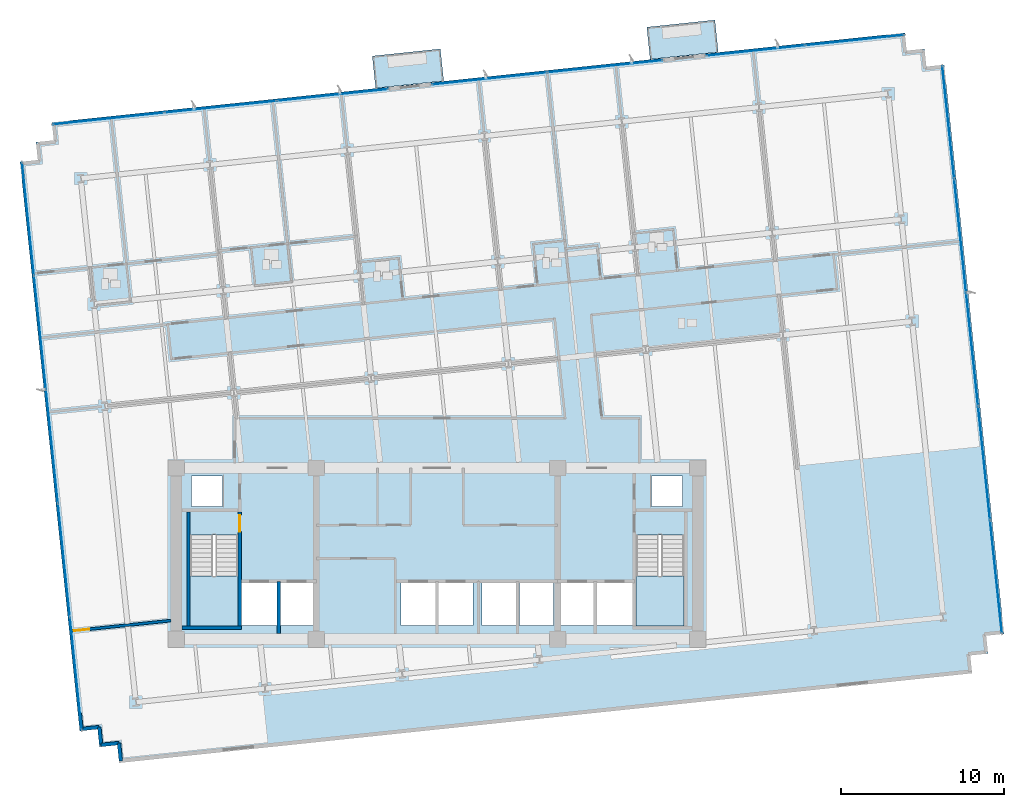
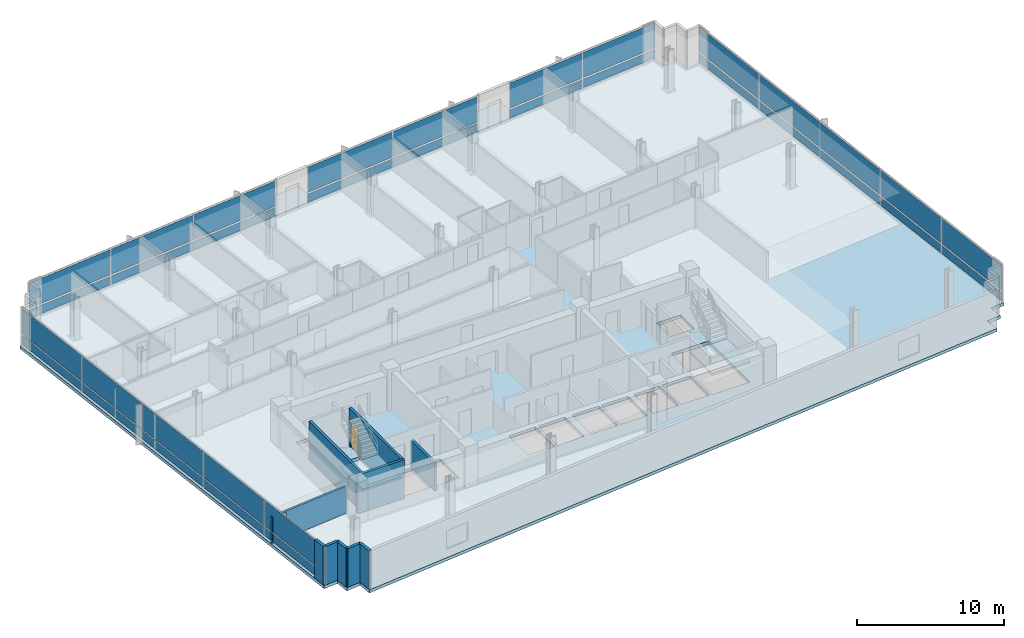
# One storey, part 9 of 17: 34 plates, 10 walls, 5 slabs, 2 doors, 2 openings, 7 elements without a shape of their own.
"""IFC4 building model written with IfcOpenShell, lengths in metres."""

from ifc_helpers import new_model, si_unit, direction, frame, frame_2d, origin, origin_2d, place, context, subcontext, project, spatial, polyline, rectangle, outline, extrude, material, layer, layer_set, type_object, element, fill, aggregate, save


model = new_model("IFC4")

# Units and contexts
model_context = context("Model", 3, precision=1e-05, world=origin(), true_north=direction((0.0, 1.0)))
body_context = subcontext(model_context, "Body", "Model", "MODEL_VIEW")
ifc_project = project(units=[si_unit("LENGTHUNIT", "METRE"), si_unit("AREAUNIT", "SQUARE_METRE"), si_unit("VOLUMEUNIT", "CUBIC_METRE"), si_unit("PLANEANGLEUNIT", "RADIAN"), si_unit("MASSUNIT", "GRAM", prefix="KILO")], contexts=[model_context])

# Site, building, storey
site_placement = place(None, origin())
site = spatial("IfcSite", under=ifc_project, at=site_placement, CompositionType="ELEMENT")
building_placement = place(site_placement, origin())
building = spatial("IfcBuilding", under=site, at=building_placement, Name="Solmavex Isthmus Hotel", CompositionType="ELEMENT")
storey_placement = place(building_placement, frame((0.0, 0.0, 116.699951171875)))
storey = spatial("IfcBuildingStorey", under=building, at=storey_placement, Name="L31", CompositionType="ELEMENT", Elevation=116.699951171875)

# Curtain wall, plates
ifc_material_1 = material(Name="Aluminium alloy 6063-T6", Category="aluminium")
curtain_wall_type = type_object("IfcCurtainWallType", Name="CW-SYS-03", PredefinedType="NOTDEFINED", material=ifc_material_1)
curtain_wall_1_placement = place(storey_placement, origin())
curtain_wall_1 = element("IfcCurtainWall", 1, at=curtain_wall_1_placement, inside=storey, type_object=curtain_wall_type, Name="Stick Curtain Wall CWL-L31-N1", PredefinedType="NOTDEFINED")
ifc_material_2 = material(Name="Clear low-E laminated glass", Category="glass")
ifc_layer_1 = layer(ifc_material_2, 0.030029296875)
ifc_layer_set_1 = layer_set([ifc_layer_1], Name="Clear low-E laminated glass")
plate_type = type_object("IfcPlateType", Name="CW-SYS-03-PNL", PredefinedType="CURTAIN_PANEL", material=ifc_layer_set_1)
plate_1_placement = place(storey_placement, frame((-20.148193359375, 18.93701171875, 0.14013671875), z_axis=(0.0, 0.0, 1.0), x_axis=(0.994521910366, 0.10452832057, 0.0)))
plate_1 = element("IfcPlate", 2, at=plate_1_placement, type_object=plate_type, Name="CW-03 panel 1.1", PredefinedType="CURTAIN_PANEL", context=body_context, shape_type="SweptSolid", body=[
    extrude(rectangle(XDim=6.8173828125, YDim=0.030029296875, at=origin_2d()), origin(), (0.0, 0.0, 1.0), 0.68994140625),
])
plate_2_placement = place(storey_placement, frame((-20.148193359375, 18.93701171875, 0.969970703125), z_axis=(0.0, 0.0, 1.0), x_axis=(0.994521910366, 0.10452832057, 0.0)))
plate_2 = element("IfcPlate", 3, at=plate_2_placement, type_object=plate_type, Name="CW-03 panel 1.2", PredefinedType="CURTAIN_PANEL", context=body_context, shape_type="SweptSolid", body=[
    extrude(rectangle(XDim=6.8173828125, YDim=0.030029296875, at=origin_2d()), origin(), (0.0, 0.0, 1.0), 2.080078125),
])
plate_3_placement = place(storey_placement, frame((-13.28125, 19.65869140625, 0.14013671875), z_axis=(0.0, 0.0, 1.0), x_axis=(0.994521910366, 0.10452832057, 0.0)))
plate_3 = element("IfcPlate", 4, at=plate_3_placement, type_object=plate_type, Name="CW-03 panel 2.1", PredefinedType="CURTAIN_PANEL", context=body_context, shape_type="SweptSolid", body=[
    extrude(rectangle(XDim=6.852294921875, YDim=0.030029296875, at=origin_2d()), origin(), (0.0, 0.0, 1.0), 0.68994140625),
])
plate_4_placement = place(storey_placement, frame((-13.28125, 19.65869140625, 0.969970703125), z_axis=(0.0, 0.0, 1.0), x_axis=(0.994521910366, 0.10452832057, 0.0)))
plate_4 = element("IfcPlate", 5, at=plate_4_placement, type_object=plate_type, Name="CW-03 panel 2.2", PredefinedType="CURTAIN_PANEL", context=body_context, shape_type="SweptSolid", body=[
    extrude(rectangle(XDim=6.852294921875, YDim=0.030029296875, at=origin_2d()), origin(), (0.0, 0.0, 1.0), 2.080078125),
])
plate_5_placement = place(storey_placement, frame((-6.414306640625, 20.38037109375, 0.14013671875), z_axis=(0.0, 0.0, 1.0), x_axis=(0.994521910366, 0.10452832057, 0.0)))
plate_5 = element("IfcPlate", 6, at=plate_5_placement, type_object=plate_type, Name="CW-03 panel 3.1", PredefinedType="CURTAIN_PANEL", context=body_context, shape_type="SweptSolid", body=[
    extrude(rectangle(XDim=6.8173828125, YDim=0.030029296875, at=origin_2d()), origin(), (0.0, 0.0, 1.0), 0.68994140625),
])
plate_6_placement = place(storey_placement, frame((-6.414306640625, 20.38037109375, 0.969970703125), z_axis=(0.0, 0.0, 1.0), x_axis=(0.994521910366, 0.10452832057, 0.0)))
plate_6 = element("IfcPlate", 7, at=plate_6_placement, type_object=plate_type, Name="CW-03 panel 3.2", PredefinedType="CURTAIN_PANEL", context=body_context, shape_type="SweptSolid", body=[
    extrude(rectangle(XDim=6.8173828125, YDim=0.030029296875, at=origin_2d()), origin(), (0.0, 0.0, 1.0), 2.080078125),
])
aggregate(curtain_wall_1, [plate_1, plate_2, plate_3, plate_4, plate_5, plate_6])

curtain_wall_2_placement = place(storey_placement, origin())
curtain_wall_2 = element("IfcCurtainWall", 8, at=curtain_wall_2_placement, inside=storey, type_object=curtain_wall_type, Name="Stick Curtain Wall CWL-L31-N2", PredefinedType="NOTDEFINED")
plate_7_placement = place(storey_placement, frame((3.2119140625, 21.392333984375, 0.14013671875), z_axis=(0.0, 0.0, 1.0), x_axis=(0.994521838546, 0.10452900389, 0.0)))
plate_7 = element("IfcPlate", 9, at=plate_7_placement, type_object=plate_type, Name="CW-03 panel 1.1", PredefinedType="CURTAIN_PANEL", context=body_context, shape_type="SweptSolid", body=[
    extrude(rectangle(XDim=7.06103515625, YDim=0.030029296875, at=origin_2d()), origin(), (0.0, 0.0, 1.0), 0.68994140625),
])
plate_8_placement = place(storey_placement, frame((3.2119140625, 21.392333984375, 0.969970703125), z_axis=(0.0, 0.0, 1.0), x_axis=(0.994521838546, 0.10452900389, 0.0)))
plate_8 = element("IfcPlate", 10, at=plate_8_placement, type_object=plate_type, Name="CW-03 panel 1.2", PredefinedType="CURTAIN_PANEL", context=body_context, shape_type="SweptSolid", body=[
    extrude(rectangle(XDim=7.06103515625, YDim=0.030029296875, at=origin_2d()), origin(), (0.0, 0.0, 1.0), 2.080078125),
])
plate_9_placement = place(storey_placement, frame((10.303955078125, 22.1376953125, 0.14013671875), z_axis=(0.0, 0.0, 1.0), x_axis=(0.994521838546, 0.10452900389, 0.0)))
plate_9 = element("IfcPlate", 11, at=plate_9_placement, type_object=plate_type, Name="CW-03 panel 2.1", PredefinedType="CURTAIN_PANEL", context=body_context, shape_type="SweptSolid", body=[
    extrude(rectangle(XDim=7.06103515625, YDim=0.030029296875, at=origin_2d()), origin(), (0.0, 0.0, 1.0), 0.68994140625),
])
plate_10_placement = place(storey_placement, frame((10.303955078125, 22.1376953125, 0.969970703125), z_axis=(0.0, 0.0, 1.0), x_axis=(0.994521838546, 0.10452900389, 0.0)))
plate_10 = element("IfcPlate", 12, at=plate_10_placement, type_object=plate_type, Name="CW-03 panel 2.2", PredefinedType="CURTAIN_PANEL", context=body_context, shape_type="SweptSolid", body=[
    extrude(rectangle(XDim=7.06103515625, YDim=0.030029296875, at=origin_2d()), origin(), (0.0, 0.0, 1.0), 2.080078125),
])
aggregate(curtain_wall_2, [plate_7, plate_8, plate_9, plate_10])

curtain_wall_3_placement = place(storey_placement, origin())
curtain_wall_3 = element("IfcCurtainWall", 13, at=curtain_wall_3_placement, inside=storey, type_object=curtain_wall_type, Name="Stick Curtain Wall CWL-L31-N3", PredefinedType="NOTDEFINED")
plate_11_placement = place(storey_placement, frame((19.546142578125, 23.109130859375, 0.14013671875), z_axis=(0.0, 0.0, 1.0), x_axis=(0.994521931062, 0.104528123665, 0.0)))
plate_11 = element("IfcPlate", 14, at=plate_11_placement, type_object=plate_type, Name="CW-03 panel 1.1", PredefinedType="CURTAIN_PANEL", context=body_context, shape_type="SweptSolid", body=[
    extrude(rectangle(XDim=6.04541015625, YDim=0.030029296875, at=origin_2d()), origin(), (0.0, 0.0, 1.0), 0.68994140625),
])
plate_12_placement = place(storey_placement, frame((19.546142578125, 23.109130859375, 0.969970703125), z_axis=(0.0, 0.0, 1.0), x_axis=(0.994521931062, 0.104528123665, 0.0)))
plate_12 = element("IfcPlate", 15, at=plate_12_placement, type_object=plate_type, Name="CW-03 panel 1.2", PredefinedType="CURTAIN_PANEL", context=body_context, shape_type="SweptSolid", body=[
    extrude(rectangle(XDim=6.04541015625, YDim=0.030029296875, at=origin_2d()), origin(), (0.0, 0.0, 1.0), 2.080078125),
])
plate_13_placement = place(storey_placement, frame((25.628173828125, 23.748291015625, 0.14013671875), z_axis=(0.0, 0.0, 1.0), x_axis=(0.994521931062, 0.104528123665, 0.0)))
plate_13 = element("IfcPlate", 16, at=plate_13_placement, type_object=plate_type, Name="CW-03 panel 2.1", PredefinedType="CURTAIN_PANEL", context=body_context, shape_type="SweptSolid", body=[
    extrude(rectangle(XDim=6.04541015625, YDim=0.030029296875, at=origin_2d()), origin(), (0.0, 0.0, 1.0), 0.68994140625),
])
plate_14_placement = place(storey_placement, frame((25.628173828125, 23.748291015625, 0.969970703125), z_axis=(0.0, 0.0, 1.0), x_axis=(0.994521931062, 0.104528123665, 0.0)))
plate_14 = element("IfcPlate", 17, at=plate_14_placement, type_object=plate_type, Name="CW-03 panel 2.2", PredefinedType="CURTAIN_PANEL", context=body_context, shape_type="SweptSolid", body=[
    extrude(rectangle(XDim=6.04541015625, YDim=0.030029296875, at=origin_2d()), origin(), (0.0, 0.0, 1.0), 2.080078125),
])
aggregate(curtain_wall_3, [plate_11, plate_12, plate_13, plate_14])

curtain_wall_4_placement = place(storey_placement, origin())
curtain_wall_4 = element("IfcCurtainWall", 18, at=curtain_wall_4_placement, inside=storey, type_object=curtain_wall_type, Name="Stick Curtain Wall CWL-L31-W1", PredefinedType="NOTDEFINED")
plate_15_placement = place(storey_placement, frame((-22.15869140625, -15.1123046875, 0.14013671875), z_axis=(0.0, 0.0, 1.0), x_axis=(-0.104528485381, 0.994521893044, 0.0)))
plate_15 = element("IfcPlate", 19, at=plate_15_placement, type_object=plate_type, Name="CW-03 panel 1.1", PredefinedType="CURTAIN_PANEL", context=body_context, shape_type="SweptSolid", body=[
    extrude(rectangle(XDim=6.9150390625, YDim=0.030029296875, at=origin_2d()), origin(), (0.0, 0.0, 1.0), 0.68994140625),
])
plate_16_placement = place(storey_placement, frame((-22.15869140625, -15.1123046875, 0.969970703125), z_axis=(0.0, 0.0, 1.0), x_axis=(-0.104528485381, 0.994521893044, 0.0)))
plate_16 = element("IfcPlate", 20, at=plate_16_placement, type_object=plate_type, Name="CW-03 panel 1.2", PredefinedType="CURTAIN_PANEL", context=body_context, shape_type="SweptSolid", body=[
    extrude(rectangle(XDim=6.9150390625, YDim=0.030029296875, at=origin_2d()), origin(), (0.0, 0.0, 1.0), 2.080078125),
])
plate_17_placement = place(storey_placement, frame((-22.890625, -8.14794921875, 0.14013671875), z_axis=(0.0, 0.0, 1.0), x_axis=(-0.104528485381, 0.994521893044, 0.0)))
plate_17 = element("IfcPlate", 21, at=plate_17_placement, type_object=plate_type, Name="CW-03 panel 2.1", PredefinedType="CURTAIN_PANEL", context=body_context, shape_type="SweptSolid", body=[
    extrude(rectangle(XDim=6.949951171875, YDim=0.030029296875, at=origin_2d()), origin(), (0.0, 0.0, 1.0), 0.68994140625),
])
plate_18_placement = place(storey_placement, frame((-22.890625, -8.14794921875, 0.969970703125), z_axis=(0.0, 0.0, 1.0), x_axis=(-0.104528485381, 0.994521893044, 0.0)))
plate_18 = element("IfcPlate", 22, at=plate_18_placement, type_object=plate_type, Name="CW-03 panel 2.2", PredefinedType="CURTAIN_PANEL", context=body_context, shape_type="SweptSolid", body=[
    extrude(rectangle(XDim=6.949951171875, YDim=0.030029296875, at=origin_2d()), origin(), (0.0, 0.0, 1.0), 2.080078125),
])
plate_19_placement = place(storey_placement, frame((-23.62451171875, -1.16650390625, 0.14013671875), z_axis=(0.0, 0.0, 1.0), x_axis=(-0.104528485381, 0.994521893044, 0.0)))
plate_19 = element("IfcPlate", 23, at=plate_19_placement, type_object=plate_type, Name="CW-03 panel 3.1", PredefinedType="CURTAIN_PANEL", context=body_context, shape_type="SweptSolid", body=[
    extrude(rectangle(XDim=6.949951171875, YDim=0.030029296875, at=origin_2d()), origin(), (0.0, 0.0, 1.0), 0.68994140625),
])
plate_20_placement = place(storey_placement, frame((-23.62451171875, -1.16650390625, 0.969970703125), z_axis=(0.0, 0.0, 1.0), x_axis=(-0.104528485381, 0.994521893044, 0.0)))
plate_20 = element("IfcPlate", 24, at=plate_20_placement, type_object=plate_type, Name="CW-03 panel 3.2", PredefinedType="CURTAIN_PANEL", context=body_context, shape_type="SweptSolid", body=[
    extrude(rectangle(XDim=6.949951171875, YDim=0.030029296875, at=origin_2d()), origin(), (0.0, 0.0, 1.0), 2.080078125),
])
plate_21_placement = place(storey_placement, frame((-24.3583984375, 5.81494140625, 0.14013671875), z_axis=(0.0, 0.0, 1.0), x_axis=(-0.104528485381, 0.994521893044, 0.0)))
plate_21 = element("IfcPlate", 25, at=plate_21_placement, type_object=plate_type, Name="CW-03 panel 4.1", PredefinedType="CURTAIN_PANEL", context=body_context, shape_type="SweptSolid", body=[
    extrude(rectangle(XDim=6.949951171875, YDim=0.030029296875, at=origin_2d()), origin(), (0.0, 0.0, 1.0), 0.68994140625),
])
plate_22_placement = place(storey_placement, frame((-24.3583984375, 5.81494140625, 0.969970703125), z_axis=(0.0, 0.0, 1.0), x_axis=(-0.104528485381, 0.994521893044, 0.0)))
plate_22 = element("IfcPlate", 26, at=plate_22_placement, type_object=plate_type, Name="CW-03 panel 4.2", PredefinedType="CURTAIN_PANEL", context=body_context, shape_type="SweptSolid", body=[
    extrude(rectangle(XDim=6.949951171875, YDim=0.030029296875, at=origin_2d()), origin(), (0.0, 0.0, 1.0), 2.080078125),
])
plate_23_placement = place(storey_placement, frame((-25.09033203125, 12.779052734375, 0.14013671875), z_axis=(0.0, 0.0, 1.0), x_axis=(-0.104528485381, 0.994521893044, 0.0)))
plate_23 = element("IfcPlate", 27, at=plate_23_placement, type_object=plate_type, Name="CW-03 panel 5.1", PredefinedType="CURTAIN_PANEL", context=body_context, shape_type="SweptSolid", body=[
    extrude(rectangle(XDim=6.9150390625, YDim=0.030029296875, at=origin_2d()), origin(), (0.0, 0.0, 1.0), 0.68994140625),
])
plate_24_placement = place(storey_placement, frame((-25.09033203125, 12.779052734375, 0.969970703125), z_axis=(0.0, 0.0, 1.0), x_axis=(-0.104528485381, 0.994521893044, 0.0)))
plate_24 = element("IfcPlate", 28, at=plate_24_placement, type_object=plate_type, Name="CW-03 panel 5.2", PredefinedType="CURTAIN_PANEL", context=body_context, shape_type="SweptSolid", body=[
    extrude(rectangle(XDim=6.9150390625, YDim=0.030029296875, at=origin_2d()), origin(), (0.0, 0.0, 1.0), 2.080078125),
])
aggregate(curtain_wall_4, [plate_15, plate_16, plate_17, plate_18, plate_19, plate_20, plate_21, plate_22, plate_23, plate_24])

curtain_wall_5_placement = place(storey_placement, origin())
curtain_wall_5 = element("IfcCurtainWall", 29, at=curtain_wall_5_placement, inside=storey, type_object=curtain_wall_type, Name="Stick Curtain Wall CWL-L31-E1", PredefinedType="NOTDEFINED")
plate_25_placement = place(storey_placement, frame((34.290283203125, -9.17919921875, 0.14013671875), z_axis=(0.0, 0.0, 1.0), x_axis=(-0.104528485381, 0.994521893044, 0.0)))
plate_25 = element("IfcPlate", 30, at=plate_25_placement, type_object=plate_type, Name="CW-03 panel 1.1", PredefinedType="CURTAIN_PANEL", context=body_context, shape_type="SweptSolid", body=[
    extrude(rectangle(XDim=6.9150390625, YDim=0.030029296875, at=origin_2d()), origin(), (0.0, 0.0, 1.0), 0.68994140625),
])
plate_26_placement = place(storey_placement, frame((34.290283203125, -9.17919921875, 0.969970703125), z_axis=(0.0, 0.0, 1.0), x_axis=(-0.104528485381, 0.994521893044, 0.0)))
plate_26 = element("IfcPlate", 31, at=plate_26_placement, type_object=plate_type, Name="CW-03 panel 1.2", PredefinedType="CURTAIN_PANEL", context=body_context, shape_type="SweptSolid", body=[
    extrude(rectangle(XDim=6.9150390625, YDim=0.030029296875, at=origin_2d()), origin(), (0.0, 0.0, 1.0), 2.080078125),
])
plate_27_placement = place(storey_placement, frame((33.558349609375, -2.215087890625, 0.14013671875), z_axis=(0.0, 0.0, 1.0), x_axis=(-0.104528485381, 0.994521893044, 0.0)))
plate_27 = element("IfcPlate", 32, at=plate_27_placement, type_object=plate_type, Name="CW-03 panel 2.1", PredefinedType="CURTAIN_PANEL", context=body_context, shape_type="SweptSolid", body=[
    extrude(rectangle(XDim=6.949951171875, YDim=0.030029296875, at=origin_2d()), origin(), (0.0, 0.0, 1.0), 0.68994140625),
])
plate_28_placement = place(storey_placement, frame((33.558349609375, -2.215087890625, 0.969970703125), z_axis=(0.0, 0.0, 1.0), x_axis=(-0.104528485381, 0.994521893044, 0.0)))
plate_28 = element("IfcPlate", 33, at=plate_28_placement, type_object=plate_type, Name="CW-03 panel 2.2", PredefinedType="CURTAIN_PANEL", context=body_context, shape_type="SweptSolid", body=[
    extrude(rectangle(XDim=6.949951171875, YDim=0.030029296875, at=origin_2d()), origin(), (0.0, 0.0, 1.0), 2.080078125),
])
plate_29_placement = place(storey_placement, frame((32.824462890625, 4.7666015625, 0.14013671875), z_axis=(0.0, 0.0, 1.0), x_axis=(-0.104528485381, 0.994521893044, 0.0)))
plate_29 = element("IfcPlate", 34, at=plate_29_placement, type_object=plate_type, Name="CW-03 panel 3.1", PredefinedType="CURTAIN_PANEL", context=body_context, shape_type="SweptSolid", body=[
    extrude(rectangle(XDim=6.949951171875, YDim=0.030029296875, at=origin_2d()), origin(), (0.0, 0.0, 1.0), 0.68994140625),
])
plate_30_placement = place(storey_placement, frame((32.824462890625, 4.7666015625, 0.969970703125), z_axis=(0.0, 0.0, 1.0), x_axis=(-0.104528485381, 0.994521893044, 0.0)))
plate_30 = element("IfcPlate", 35, at=plate_30_placement, type_object=plate_type, Name="CW-03 panel 3.2", PredefinedType="CURTAIN_PANEL", context=body_context, shape_type="SweptSolid", body=[
    extrude(rectangle(XDim=6.949951171875, YDim=0.030029296875, at=origin_2d()), origin(), (0.0, 0.0, 1.0), 2.080078125),
])
plate_31_placement = place(storey_placement, frame((32.0908203125, 11.748046875, 0.14013671875), z_axis=(0.0, 0.0, 1.0), x_axis=(-0.104528485381, 0.994521893044, 0.0)))
plate_31 = element("IfcPlate", 36, at=plate_31_placement, type_object=plate_type, Name="CW-03 panel 4.1", PredefinedType="CURTAIN_PANEL", context=body_context, shape_type="SweptSolid", body=[
    extrude(rectangle(XDim=6.949951171875, YDim=0.030029296875, at=origin_2d()), origin(), (0.0, 0.0, 1.0), 0.68994140625),
])
plate_32_placement = place(storey_placement, frame((32.0908203125, 11.748046875, 0.969970703125), z_axis=(0.0, 0.0, 1.0), x_axis=(-0.104528485381, 0.994521893044, 0.0)))
plate_32 = element("IfcPlate", 37, at=plate_32_placement, type_object=plate_type, Name="CW-03 panel 4.2", PredefinedType="CURTAIN_PANEL", context=body_context, shape_type="SweptSolid", body=[
    extrude(rectangle(XDim=6.949951171875, YDim=0.030029296875, at=origin_2d()), origin(), (0.0, 0.0, 1.0), 2.080078125),
])
plate_33_placement = place(storey_placement, frame((31.35888671875, 18.712158203125, 0.14013671875), z_axis=(0.0, 0.0, 1.0), x_axis=(-0.104528485381, 0.994521893044, 0.0)))
plate_33 = element("IfcPlate", 38, at=plate_33_placement, type_object=plate_type, Name="CW-03 panel 5.1", PredefinedType="CURTAIN_PANEL", context=body_context, shape_type="SweptSolid", body=[
    extrude(rectangle(XDim=6.9150390625, YDim=0.030029296875, at=origin_2d()), origin(), (0.0, 0.0, 1.0), 0.68994140625),
])
plate_34_placement = place(storey_placement, frame((31.35888671875, 18.712158203125, 0.969970703125), z_axis=(0.0, 0.0, 1.0), x_axis=(-0.104528485381, 0.994521893044, 0.0)))
plate_34 = element("IfcPlate", 39, at=plate_34_placement, type_object=plate_type, Name="CW-03 panel 5.2", PredefinedType="CURTAIN_PANEL", context=body_context, shape_type="SweptSolid", body=[
    extrude(rectangle(XDim=6.9150390625, YDim=0.030029296875, at=origin_2d()), origin(), (0.0, 0.0, 1.0), 2.080078125),
])
aggregate(curtain_wall_5, [plate_25, plate_26, plate_27, plate_28, plate_29, plate_30, plate_31, plate_32, plate_33, plate_34])

# Slabs
ifc_material_3 = material(Name="Concrete C40/50", Category="concrete")
ifc_layer_2 = layer(ifc_material_3, 0.239990234375)
ifc_layer_set_2 = layer_set([ifc_layer_2], Name="Concrete C40/50")
slab_type_1 = type_object("IfcSlabType", Name="SLAB-BALC-240", PredefinedType="FLOOR", material=ifc_layer_set_2)
slab_1_placement = place(storey_placement, frame((0.0, 0.0, -0.239990234375)))
element("IfcSlab", 40, at=slab_1_placement, inside=storey, type_object=slab_type_1, Name="Tree-Planter Balcony Slab L31-B1", PredefinedType="FLOOR", context=body_context, shape_type="SweptSolid", body=[
    extrude(outline(polyline([(-3.764404296875, 20.794677734375), (0.41259765625, 21.23388671875), (0.205078125, 23.2080078125), (-3.9716796875, 22.768798828125), (-3.764404296875, 20.794677734375)])), origin(), (0.0, 0.0, 1.0), 0.239990234375),
])
slab_2_placement = place(storey_placement, frame((0.0, 0.0, -0.239990234375)))
element("IfcSlab", 41, at=slab_2_placement, inside=storey, type_object=slab_type_1, Name="Tree-Planter Balcony Slab L31-B2", PredefinedType="FLOOR", context=body_context, shape_type="SweptSolid", body=[
    extrude(outline(polyline([(13.074951171875, 22.564697265625), (17.251953125, 23.003662109375), (17.04443359375, 24.977783203125), (12.867431640625, 24.538818359375), (13.074951171875, 22.564697265625)])), origin(), (0.0, 0.0, 1.0), 0.239990234375),
])
ifc_layer_3 = layer(ifc_material_3, 0.260009765625)
ifc_layer_set_3 = layer_set([ifc_layer_3], Name="Concrete C40/50")
slab_type_2 = type_object("IfcSlabType", Name="SLAB-TYP-260", PredefinedType="FLOOR", material=ifc_layer_set_3)
slab_3_placement = place(storey_placement, frame((0.0, 0.0, -0.260009765625)))
element("IfcSlab", 42, at=slab_3_placement, inside=storey, type_object=slab_type_2, Name="Tower Structural Floor Slab L31", PredefinedType="FLOOR", context=body_context, shape_type="SweptSolid", body=[
    extrude(outline(polyline([(-18.3974609375, -20.475830078125), (31.726318359375, -15.207763671875), (32.8203125, -15.0927734375), (32.705322265625, -13.998779296875), (33.79931640625, -13.8837890625), (33.684326171875, -12.789794921875), (34.7783203125, -12.6748046875), (34.663330078125, -11.580810546875), (31.224365234375, 21.138916015625), (31.109375, 22.23291015625), (30.015380859375, 22.117919921875), (29.900390625, 23.2119140625), (28.806396484375, 23.096923828125), (28.69140625, 24.19091796875), (27.597412109375, 24.075927734375), (-22.5263671875, 18.8076171875), (-23.620361328125, 18.692626953125), (-23.50537109375, 17.5986328125), (-24.599365234375, 17.483642578125), (-24.484375, 16.389892578125), (-25.578369140625, 16.27490234375), (-25.46337890625, 15.180908203125), (-22.0244140625, -17.5390625), (-21.909423828125, -18.6328125), (-20.8154296875, -18.517822265625), (-20.700439453125, -19.61181640625), (-19.6064453125, -19.496826171875), (-19.491455078125, -20.5908203125), (-18.3974609375, -20.475830078125)]), holes=[polyline([(-15.14990234375, -6.617919921875), (-15.14990234375, -12.199951171875), (-12.199951171875, -12.199951171875), (-12.199951171875, -6.617919921875), (-15.14990234375, -6.617919921875)]), polyline([(12.199951171875, -6.617919921875), (12.199951171875, -12.199951171875), (15.14990234375, -12.199951171875), (15.14990234375, -6.617919921875), (12.199951171875, -6.617919921875)]), polyline([(-12.0, -12.14990234375), (-9.800048828125, -12.14990234375), (-9.800048828125, -9.550048828125), (-12.0, -9.550048828125), (-12.0, -12.14990234375)]), polyline([(9.800048828125, -12.14990234375), (12.0, -12.14990234375), (12.0, -9.550048828125), (9.800048828125, -9.550048828125), (9.800048828125, -12.14990234375)]), polyline([(-9.60009765625, -12.14990234375), (-7.60009765625, -12.14990234375), (-7.60009765625, -9.550048828125), (-9.60009765625, -9.550048828125), (-9.60009765625, -12.14990234375)]), polyline([(7.60009765625, -12.14990234375), (9.60009765625, -12.14990234375), (9.60009765625, -9.550048828125), (7.60009765625, -9.550048828125), (7.60009765625, -12.14990234375)]), polyline([(-2.199951171875, -12.14990234375), (-0.10009765625, -12.14990234375), (-0.10009765625, -9.550048828125), (-2.199951171875, -9.550048828125), (-2.199951171875, -12.14990234375)]), polyline([(0.10009765625, -12.14990234375), (2.199951171875, -12.14990234375), (2.199951171875, -9.550048828125), (0.10009765625, -9.550048828125), (0.10009765625, -12.14990234375)]), polyline([(2.75, -12.14990234375), (4.85009765625, -12.14990234375), (4.85009765625, -9.550048828125), (2.75, -9.550048828125), (2.75, -12.14990234375)]), polyline([(5.050048828125, -12.14990234375), (7.14990234375, -12.14990234375), (7.14990234375, -9.550048828125), (5.050048828125, -9.550048828125), (5.050048828125, -12.14990234375)]), polyline([(-15.050048828125, -4.85009765625), (-13.14990234375, -4.85009765625), (-13.14990234375, -3.0), (-15.050048828125, -3.0), (-15.050048828125, -4.85009765625)]), polyline([(13.14990234375, -4.85009765625), (15.050048828125, -4.85009765625), (15.050048828125, -3.0), (13.14990234375, -3.0), (13.14990234375, -4.85009765625)])]), origin(), (0.0, 0.0, 1.0), 0.260009765625),
])

# Stair, slab
stair_type_1 = type_object("IfcStairType", Name="STR-ST-1", PredefinedType="HALF_TURN_STAIR", material=ifc_material_3)
stair_1_placement = place(storey_placement, origin())
stair_1 = element("IfcStair", 43, at=stair_1_placement, inside=storey, type_object=stair_type_1, Name="L31 Protected Exit Stair ST-1", PredefinedType="HALF_TURN_STAIR")
ifc_layer_4 = layer(ifc_material_3, 0.219970703125)
ifc_layer_set_4 = layer_set([ifc_layer_4], Name="Concrete C40/50")
slab_type_3 = type_object("IfcSlabType", Name="SLD-ST-1", PredefinedType="LANDING", material=ifc_layer_set_4)
slab_4_placement = place(storey_placement, frame((0.0, 0.0, 1.525146484375)))
slab_4 = element("IfcSlab", 44, at=slab_4_placement, type_object=slab_type_3, Name="ST-1 landing 1", PredefinedType="LANDING", context=body_context, shape_type="SweptSolid", body=[
    extrude(outline(polyline([(-15.14990234375, -9.1201171875), (-15.14990234375, -12.199951171875), (-12.199951171875, -12.199951171875), (-12.199951171875, -9.1201171875), (-15.14990234375, -9.1201171875)])), origin(), (0.0, 0.0, 1.0), 0.199951171875),
])
aggregate(stair_1, [slab_4])

stair_type_2 = type_object("IfcStairType", Name="STR-ST-2", PredefinedType="HALF_TURN_STAIR", material=ifc_material_3)
stair_2_placement = place(storey_placement, origin())
stair_2 = element("IfcStair", 45, at=stair_2_placement, inside=storey, type_object=stair_type_2, Name="L31 Protected Exit Stair ST-2", PredefinedType="HALF_TURN_STAIR")
ifc_layer_5 = layer(ifc_material_3, 0.219970703125)
ifc_layer_set_5 = layer_set([ifc_layer_5], Name="Concrete C40/50")
slab_type_4 = type_object("IfcSlabType", Name="SLD-ST-2", PredefinedType="LANDING", material=ifc_layer_set_5)
slab_5_placement = place(storey_placement, frame((0.0, 0.0, 1.525146484375)))
slab_5 = element("IfcSlab", 46, at=slab_5_placement, type_object=slab_type_4, Name="ST-2 landing 1", PredefinedType="LANDING", context=body_context, shape_type="SweptSolid", body=[
    extrude(outline(polyline([(12.199951171875, -9.1201171875), (12.199951171875, -12.199951171875), (15.14990234375, -12.199951171875), (15.14990234375, -9.1201171875), (12.199951171875, -9.1201171875)])), origin(), (0.0, 0.0, 1.0), 0.199951171875),
])
aggregate(stair_2, [slab_5])

# Walls
ifc_material_4 = material(Name="Precast Concrete C40/50", Category="concrete")
ifc_layer_6 = layer(ifc_material_4, 0.25)
ifc_layer_set_6 = layer_set([ifc_layer_6], Name="Precast Concrete C40/50")
wall_type_1 = type_object("IfcWallType", Name="EW-TWR-250", PredefinedType="STANDARD", material=ifc_layer_set_6)
for number, where, z_axis, x_axis, name in (
    (47, (-19.3935546875, -20.469970703125, 0.0), (0.0, 0.0, 1.0), (-0.104534592565, 0.994521251134, 0.0), "Serrated Corner Facade Panel L31-01"),
    (48, (-19.508544921875, -19.3759765625, 0.0), (0.0, 0.0, 1.0), (-0.994521251134, -0.104534592565, 0.0), "Serrated Corner Facade Panel L31-02"),
    (49, (-20.6025390625, -19.490966796875, 0.0), (0.0, 0.0, 1.0), (-0.104534592565, 0.994521251134, 0.0), "Serrated Corner Facade Panel L31-03"),
    (50, (-20.717529296875, -18.39697265625, 0.0), (0.0, 0.0, 1.0), (-0.994521251134, -0.104534592565, 0.0), "Serrated Corner Facade Panel L31-04"),
):
    element("IfcWall", number, at=place(storey_placement, frame(where, z_axis=z_axis, x_axis=x_axis)), inside=storey, type_object=wall_type_1, Name=name, PredefinedType="STANDARD", context=body_context, shape_type="SweptSolid", body=[
        extrude(rectangle(XDim=1.10009765625, YDim=0.219970703125, at=frame_2d((0.550048828125, 0.0))), origin(), (0.0, 0.0, 1.0), 3.18994140625),
    ])
wall_1_placement = place(storey_placement, frame((-21.8115234375, -18.511962890625, 0.0), z_axis=(0.0, 0.0, 1.0), x_axis=(-0.104556418955, 0.99451895671, 0.0)))
element("IfcWall", 51, at=wall_1_placement, inside=storey, type_object=wall_type_1, Name="Serrated Corner Facade Panel L31-05", PredefinedType="STANDARD", context=body_context, shape_type="SweptSolid", body=[
    extrude(rectangle(XDim=0.989990234375, YDim=0.219970703125, at=frame_2d((0.4951171875, 0.0))), origin(), (0.0, 0.0, 1.0), 3.18994140625),
])

# Wall, opening, door
ifc_material_5 = material(Name="Gypsum plasterboard lining", Category="gypsum")
ifc_layer_7 = layer(ifc_material_5, 0.159912109375)
ifc_layer_set_7 = layer_set([ifc_layer_7], Name="Gypsum plasterboard lining")
wall_type_2 = type_object("IfcWallType", Name="IW-COMP-160", PredefinedType="PARTITIONING", material=ifc_layer_set_7)
wall_2_placement = place(storey_placement, frame((-16.310302734375, -11.860595703125, 0.0), z_axis=(0.0, 0.0, 1.0), x_axis=(-0.994521633233, -0.10453095729, 0.0)))
wall_2 = element("IfcWall", 52, at=wall_2_placement, inside=storey, type_object=wall_type_2, Name="Interior Partition Wall W-L31-P079", PredefinedType="PARTITIONING", context=body_context, shape_type="SweptSolid", body=[
    extrude(rectangle(XDim=6.1962890625, YDim=0.159912109375, at=frame_2d((3.09814453125, 0.0))), origin(), (0.0, 0.0, 1.0), 2.22509765625),
])
opening_1_placement = place(wall_2_placement, frame((5.036376953125, 0.0, 0.0)))
opening_1 = element("IfcOpeningElement", 53, at=opening_1_placement, cuts=wall_2, Name="Opening ID-C095", PredefinedType="OPENING", context=body_context, shape_type="SweptSolid", body=[
    extrude(rectangle(XDim=0.949951171875, YDim=2.14990234375, at=frame_2d((0.47509765625, 1.074951171875))), frame((0.0, 0.08984375, 0.0), z_axis=(0.0, -1.0, 0.0), x_axis=(1.0, 0.0, 0.0)), (0.0, 0.0, 1.0), 0.179931640625),
])
ifc_material_6 = material(Name="Hardwood timber", Category="wood")
door_type_1 = type_object("IfcDoorType", Name="IDR-FD60-0950", OperationType="NOTDEFINED", PredefinedType="DOOR", material=ifc_material_6)
door_1_placement = place(opening_1_placement, frame((0.949951171875, 0.0, 0.0), z_axis=(0.0, 0.0, 1.0), x_axis=(-1.0, 0.0, 0.0)))
door_1 = element("IfcDoor", 54, at=door_1_placement, inside=storey, type_object=door_type_1, Name="Corporate Briefing Office Door L31-23", OperationType="SINGLE_SWING_LEFT", OverallHeight=2.14990234375, OverallWidth=0.949951171875, PredefinedType="DOOR", context=body_context, shape_type="SweptSolid", body=[
    extrude(rectangle(XDim=0.949951171875, YDim=2.14990234375, at=frame_2d((0.47509765625, 1.074951171875))), frame((0.0, 0.02490234375, 0.0), z_axis=(0.0, -1.0, 0.0), x_axis=(1.0, 0.0, 0.0)), (0.0, 0.0, 1.0), 0.050048828125),
])
fill(opening_1, door_1)

# Walls
ifc_layer_8 = layer(ifc_material_3, 0.199951171875)
ifc_layer_set_8 = layer_set([ifc_layer_8], Name="Concrete C40/50")
wall_type_3 = type_object("IfcWallType", Name="IW-SHAFT-200", PredefinedType="PARTITIONING", material=ifc_layer_set_8)
wall_3_placement = place(storey_placement, frame((-9.699951171875, -12.64990234375, 0.0), z_axis=(0.0, 0.0, 1.0), x_axis=(0.0, 1.0, 0.0)))
element("IfcWall", 55, at=wall_3_placement, inside=storey, type_object=wall_type_3, Name="Interior Partition Wall W-L31-FFLW-M", PredefinedType="PARTITIONING", context=body_context, shape_type="SweptSolid", body=[
    extrude(rectangle(XDim=3.199951171875, YDim=0.199951171875, at=frame_2d((1.60009765625, 0.0))), origin(), (0.0, 0.0, 1.0), 2.22509765625),
])
ifc_layer_9 = layer(ifc_material_3, 0.199951171875)
ifc_layer_set_9 = layer_set([ifc_layer_9], Name="Concrete C40/50")
wall_type_4 = type_object("IfcWallType", Name="WALL-SW-200", PredefinedType="SOLIDWALL", material=ifc_layer_set_9)
wall_4_placement = place(storey_placement, frame((-15.64990234375, -12.300048828125, 0.0), z_axis=(0.0, 0.0, 1.0), x_axis=(1.0, 0.0, 0.0)))
element("IfcWall", 56, at=wall_4_placement, inside=storey, type_object=wall_type_4, Name="Stairwell Structural Wall SW-L31-ST1-S", PredefinedType="SOLIDWALL", context=body_context, shape_type="SweptSolid", body=[
    extrude(rectangle(XDim=3.64990234375, YDim=0.199951171875, at=frame_2d((1.824951171875, 0.0))), origin(), (0.0, 0.0, 1.0), 3.18994140625),
])
wall_5_placement = place(storey_placement, frame((-15.25, -12.199951171875, 0.0), z_axis=(0.0, 0.0, 1.0), x_axis=(0.0, 1.0, 0.0)))
element("IfcWall", 57, at=wall_5_placement, inside=storey, type_object=wall_type_4, Name="Stairwell Structural Wall SW-L31-ST1-W", PredefinedType="SOLIDWALL", context=body_context, shape_type="SweptSolid", body=[
    extrude(rectangle(XDim=7.0, YDim=0.199951171875, at=frame_2d((3.5, 0.0))), origin(), (0.0, 0.0, 1.0), 3.18994140625),
])

# Wall, opening, door
wall_6_placement = place(storey_placement, frame((-12.10009765625, -12.199951171875, 0.0), z_axis=(0.0, 0.0, 1.0), x_axis=(0.0, 1.0, 0.0)))
wall_6 = element("IfcWall", 58, at=wall_6_placement, inside=storey, type_object=wall_type_4, Name="Stairwell Structural Wall SW-L31-ST1-E", PredefinedType="SOLIDWALL", context=body_context, shape_type="SweptSolid", body=[
    extrude(rectangle(XDim=7.0, YDim=0.199951171875, at=frame_2d((3.5, 0.0))), origin(), (0.0, 0.0, 1.0), 3.18994140625),
])
opening_2_placement = place(wall_6_placement, frame((5.800048828125, 0.0, 0.0)))
opening_2 = element("IfcOpeningElement", 59, at=opening_2_placement, cuts=wall_6, Name="Opening ID-F100", PredefinedType="OPENING", context=body_context, shape_type="SweptSolid", body=[
    extrude(rectangle(XDim=1.0, YDim=2.10009765625, at=frame_2d((0.5, 1.050048828125))), frame((0.0, 0.10986328125, 0.0), z_axis=(0.0, -1.0, 0.0), x_axis=(1.0, 0.0, 0.0)), (0.0, 0.0, 1.0), 0.219970703125),
])
ifc_material_7 = material(Name="Steel ASTM A500 Grade C", Category="steel")
door_type_2 = type_object("IfcDoorType", Name="IDR-FD90-1000", OperationType="NOTDEFINED", PredefinedType="DOOR", material=ifc_material_7)
door_2_placement = place(opening_2_placement, frame((1.0, 0.0, 0.0), z_axis=(0.0, 0.0, 1.0), x_axis=(-1.0, 0.0, 0.0)))
door_2 = element("IfcDoor", 60, at=door_2_placement, inside=storey, type_object=door_type_2, Name="Stair ST-1 Fire Door L31", OperationType="SINGLE_SWING_LEFT", OverallHeight=2.10009765625, OverallWidth=1.0, PredefinedType="DOOR", context=body_context, shape_type="SweptSolid", body=[
    extrude(rectangle(XDim=1.0, YDim=2.10009765625, at=frame_2d((0.5, 1.050048828125))), frame((0.0, 0.02490234375, 0.0), z_axis=(0.0, -1.0, 0.0), x_axis=(1.0, 0.0, 0.0)), (0.0, 0.0, 1.0), 0.050048828125),
])
fill(opening_2, door_2)

save(model, "model.ifc")
